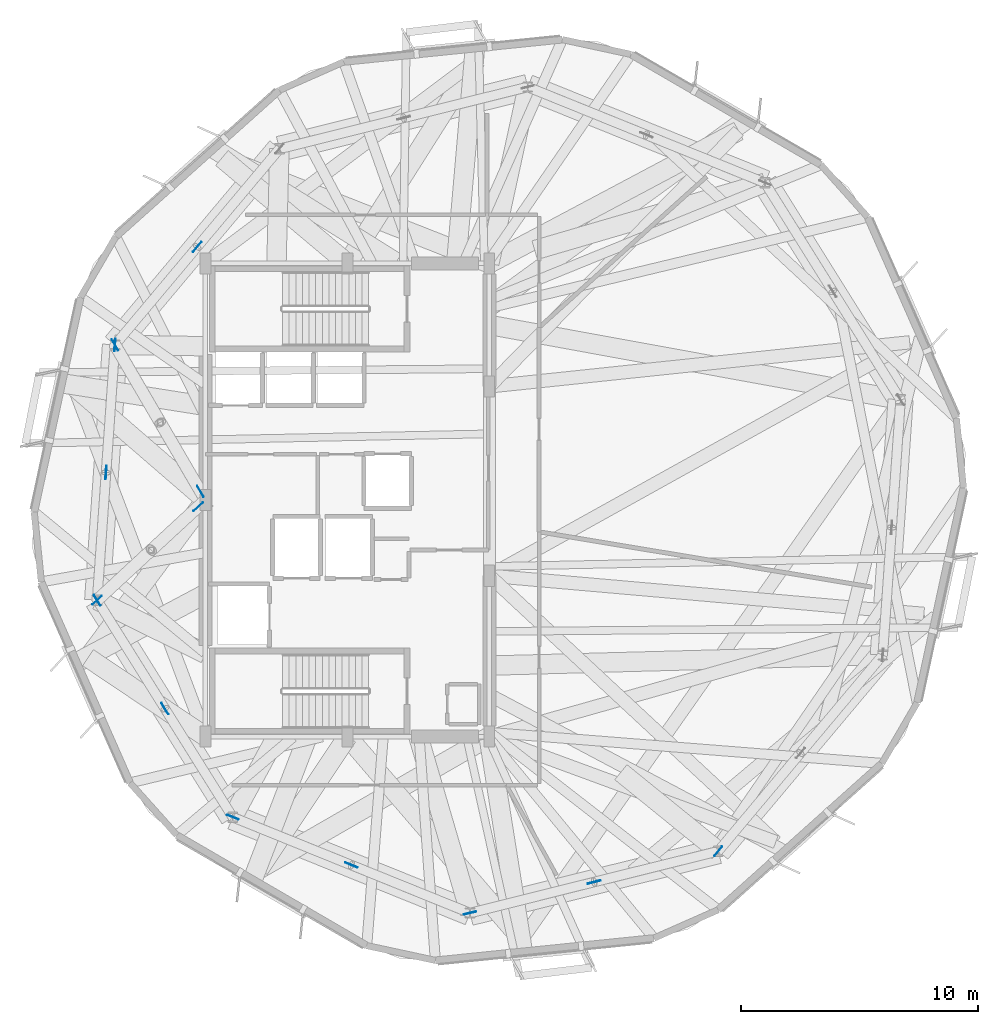
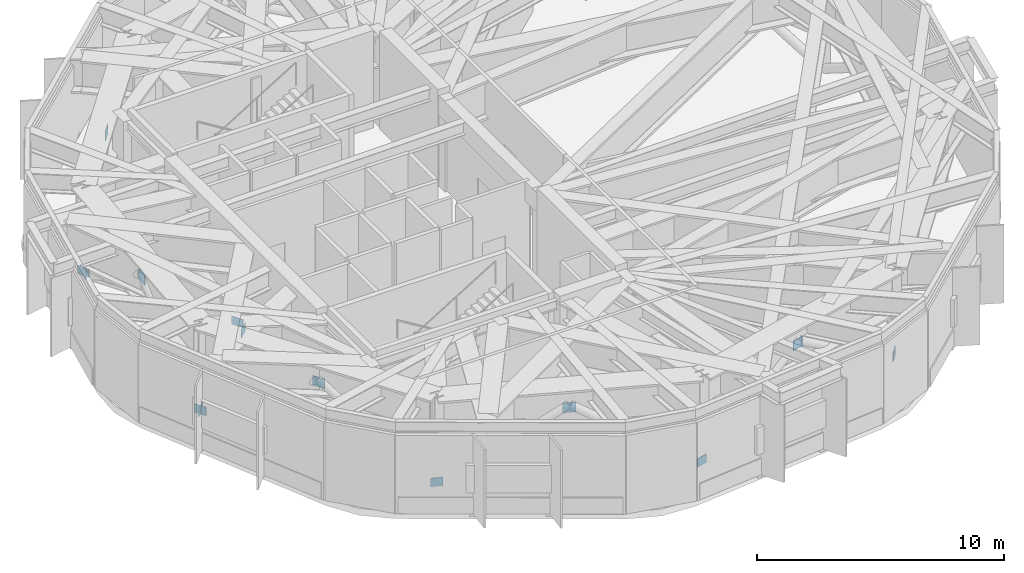
# One storey, part 6 of 14: 14 plates.
"""IFC4 building model written with IfcOpenShell, lengths in metres."""

from ifc_helpers import new_model, si_unit, direction, frame, origin, origin_2d, place, context, subcontext, project, spatial, rectangle, extrude, material, layer, layer_set, type_object, element, save


model = new_model("IFC4")

# Units and contexts
model_context = context("Model", 3, precision=1e-05, world=origin(), true_north=direction((0.0, 1.0)))
body_context = subcontext(model_context, "Body", "Model", "MODEL_VIEW")
ifc_project = project(units=[si_unit("LENGTHUNIT", "METRE"), si_unit("AREAUNIT", "SQUARE_METRE"), si_unit("VOLUMEUNIT", "CUBIC_METRE"), si_unit("PLANEANGLEUNIT", "RADIAN"), si_unit("MASSUNIT", "GRAM", prefix="KILO")], contexts=[model_context])

# Site, building, storey
site_placement = place(None, origin())
site = spatial("IfcSite", under=ifc_project, at=site_placement, CompositionType="ELEMENT")
building_placement = place(site_placement, origin())
building = spatial("IfcBuilding", under=site, at=building_placement, Name="Soratama Intermodal Tower", CompositionType="ELEMENT")
storey_placement = place(building_placement, frame((0.0, 0.0, 185.800048828125)))
storey = spatial("IfcBuildingStorey", under=building, at=storey_placement, Name="L46", CompositionType="ELEMENT", Elevation=185.800048828125)

# Plates
ifc_material_1 = material(Name="Structural steel ASTM A992 Grade 50", Category="steel")
ifc_layer_1 = layer(ifc_material_1, 0.02392578125)
ifc_layer_set_1 = layer_set([ifc_layer_1], Name="Structural steel ASTM A992 Grade 50")
plate_type_1 = type_object("IfcPlateType", Name="PL-GUSSET-24", PredefinedType="USERDEFINED", material=ifc_layer_set_1)
for number, where, z_axis, x_axis, name in (
    (1, (28.019775390625, 20.766357421875, 0.02001953125), (0.0, 0.0, 1.0), (-0.734322509436, -0.678800745533, 0.0), "L46 Outrigger Outer Gusset 06"),
    (2, (32.29150390625, 24.71484375, 0.02001953125), (0.0, 0.0, 1.0), (-0.734322509436, -0.678800745533, 0.0), "L46 Outrigger Core Gusset 06"),
    (3, (28.7744140625, 31.5556640625, 0.02001953125), (0.0, 0.0, 1.0), (-0.504075481823, 0.863659602288, 0.0), "L46 Outrigger Outer Gusset 05"),
    (4, (32.38818359375, 25.36279296875, 0.02001953125), (0.0, 0.0, 1.0), (-0.504075481823, 0.863659602288, 0.0), "L46 Outrigger Core Gusset 05"),
):
    element("IfcPlate", number, at=place(storey_placement, frame(where, z_axis=z_axis, x_axis=x_axis)), inside=storey, type_object=plate_type_1, Name=name, ObjectType="GUSSET PLATE", PredefinedType="USERDEFINED", context=body_context, shape_type="SweptSolid", body=[
        extrude(rectangle(XDim=0.5400390625, YDim=0.02392578125, at=origin_2d()), origin(), (0.0, 0.0, 1.0), 0.39990234375),
    ])
ifc_material_2 = material(Name="Structural steel ASTM A992 Grade 50", Category="steel")
ifc_layer_2 = layer(ifc_material_2, 0.030029296875)
ifc_layer_set_2 = layer_set([ifc_layer_2], Name="Structural steel ASTM A992 Grade 50")
plate_type_2 = type_object("IfcPlateType", Name="PL-GUSSET-30", PredefinedType="USERDEFINED", material=ifc_layer_set_2)
for number, where, z_axis, x_axis, name in (
    (5, (32.250244140625, 35.6982421875, 3.099853515625), (0.0, 0.0, 1.0), (-0.642787609687, -0.766044443119, 0.0), "L46 Belt Truss Apex Gusset 04"),
    (6, (28.397216796875, 26.160888671875, 3.099853515625), (0.0, 0.0, 1.0), (-0.069756473744, -0.99756405026, 0.0), "L46 Belt Truss Apex Gusset 05"),
):
    element("IfcPlate", number, at=place(storey_placement, frame(where, z_axis=z_axis, x_axis=x_axis)), inside=storey, type_object=plate_type_2, Name=name, ObjectType="GUSSET PLATE", PredefinedType="USERDEFINED", context=body_context, shape_type="SweptSolid", body=[
        extrude(rectangle(XDim=0.56005859375, YDim=0.030029296875, at=origin_2d()), origin(), (0.0, 0.0, 1.0), 0.47998046875),
    ])
plate_1_placement = place(storey_placement, frame((28.7744140625, 31.5556640625, -0.02001953125), z_axis=(0.0, 0.0, 1.0), x_axis=(-0.069756473744, -0.99756405026, 0.0)))
element("IfcPlate", 7, at=plate_1_placement, inside=storey, type_object=plate_type_2, Name="L46 Belt Truss Foot Gusset 05", ObjectType="GUSSET PLATE", PredefinedType="USERDEFINED", context=body_context, shape_type="SweptSolid", body=[
    extrude(rectangle(XDim=0.52001953125, YDim=0.030029296875, at=origin_2d()), origin(), (0.0, 0.0, 1.0), 0.419921875),
])
plate_2_placement = place(storey_placement, frame((30.885498046875, 16.180419921875, 3.099853515625), z_axis=(0.0, 0.0, 1.0), x_axis=(0.529919264233, -0.848048096156, 0.0)))
element("IfcPlate", 8, at=plate_2_placement, inside=storey, type_object=plate_type_2, Name="L46 Belt Truss Apex Gusset 06", ObjectType="GUSSET PLATE", PredefinedType="USERDEFINED", context=body_context, shape_type="SweptSolid", body=[
    extrude(rectangle(XDim=0.56005859375, YDim=0.030029296875, at=origin_2d()), origin(), (0.0, 0.0, 1.0), 0.47998046875),
])
plate_3_placement = place(storey_placement, frame((28.019775390625, 20.766357421875, -0.02001953125), z_axis=(0.0, 0.0, 1.0), x_axis=(0.529919264233, -0.848048096156, 0.0)))
element("IfcPlate", 9, at=plate_3_placement, inside=storey, type_object=plate_type_2, Name="L46 Belt Truss Foot Gusset 06", ObjectType="GUSSET PLATE", PredefinedType="USERDEFINED", context=body_context, shape_type="SweptSolid", body=[
    extrude(rectangle(XDim=0.52001953125, YDim=0.030029296875, at=origin_2d()), origin(), (0.0, 0.0, 1.0), 0.419921875),
])
plate_4_placement = place(storey_placement, frame((38.76513671875, 9.568359375, 3.099853515625), z_axis=(0.0, 0.0, 1.0), x_axis=(0.927183854567, -0.374606593416, 0.0)))
element("IfcPlate", 10, at=plate_4_placement, inside=storey, type_object=plate_type_2, Name="L46 Belt Truss Apex Gusset 07", ObjectType="GUSSET PLATE", PredefinedType="USERDEFINED", context=body_context, shape_type="SweptSolid", body=[
    extrude(rectangle(XDim=0.56005859375, YDim=0.030029296875, at=origin_2d()), origin(), (0.0, 0.0, 1.0), 0.47998046875),
])
plate_5_placement = place(storey_placement, frame((33.751220703125, 11.59423828125, -0.02001953125), z_axis=(0.0, 0.0, 1.0), x_axis=(0.927183854567, -0.374606593416, 0.0)))
element("IfcPlate", 11, at=plate_5_placement, inside=storey, type_object=plate_type_2, Name="L46 Belt Truss Foot Gusset 07", ObjectType="GUSSET PLATE", PredefinedType="USERDEFINED", context=body_context, shape_type="SweptSolid", body=[
    extrude(rectangle(XDim=0.52001953125, YDim=0.030029296875, at=origin_2d()), origin(), (0.0, 0.0, 1.0), 0.419921875),
])
plate_6_placement = place(storey_placement, frame((49.0263671875, 8.850830078125, 3.099853515625), z_axis=(0.0, 0.0, 1.0), x_axis=(0.970295726276, 0.2419218956, 0.0)))
element("IfcPlate", 12, at=plate_6_placement, inside=storey, type_object=plate_type_2, Name="L46 Belt Truss Apex Gusset 08", ObjectType="GUSSET PLATE", PredefinedType="USERDEFINED", context=body_context, shape_type="SweptSolid", body=[
    extrude(rectangle(XDim=0.56005859375, YDim=0.030029296875, at=origin_2d()), origin(), (0.0, 0.0, 1.0), 0.47998046875),
])
for number, where, z_axis, x_axis, name in (
    (13, (43.779296875, 7.54248046875, -0.02001953125), (0.0, 0.0, 1.0), (0.970295726276, 0.2419218956, 0.0), "L46 Belt Truss Foot Gusset 08"),
    (14, (54.273681640625, 10.1591796875, -0.02001953125), (0.0, 0.0, 1.0), (0.642787609687, 0.766044443119, 0.0), "L46 Belt Truss Foot Gusset 09"),
):
    element("IfcPlate", number, at=place(storey_placement, frame(where, z_axis=z_axis, x_axis=x_axis)), inside=storey, type_object=plate_type_2, Name=name, ObjectType="GUSSET PLATE", PredefinedType="USERDEFINED", context=body_context, shape_type="SweptSolid", body=[
        extrude(rectangle(XDim=0.52001953125, YDim=0.030029296875, at=origin_2d()), origin(), (0.0, 0.0, 1.0), 0.419921875),
    ])

save(model, "model.ifc")
